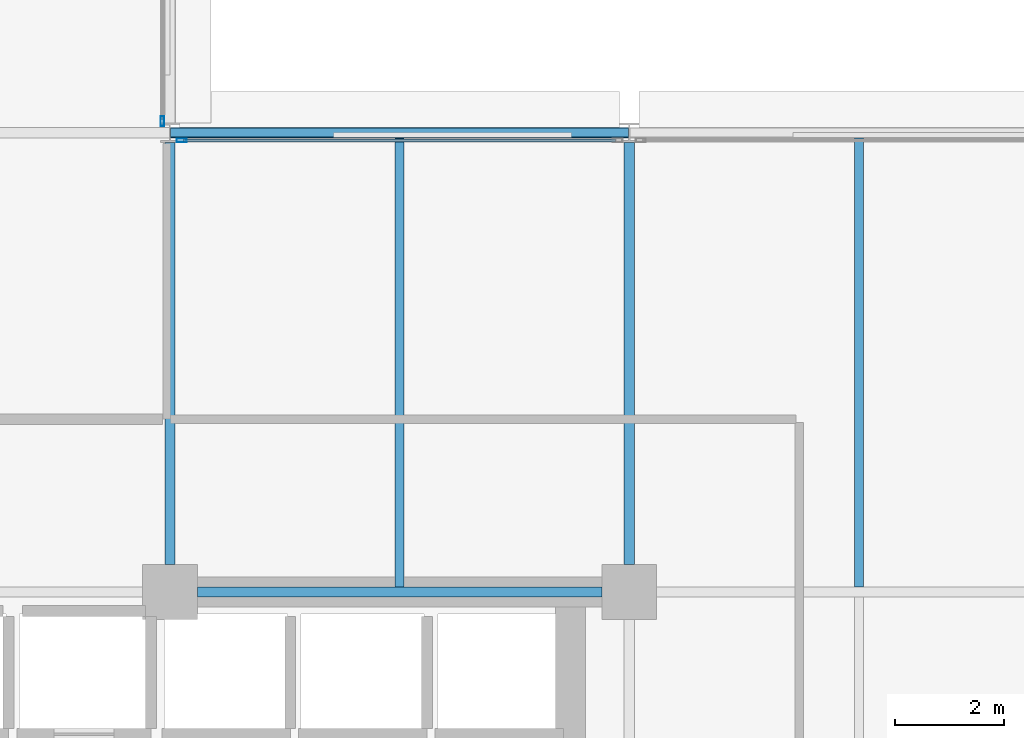
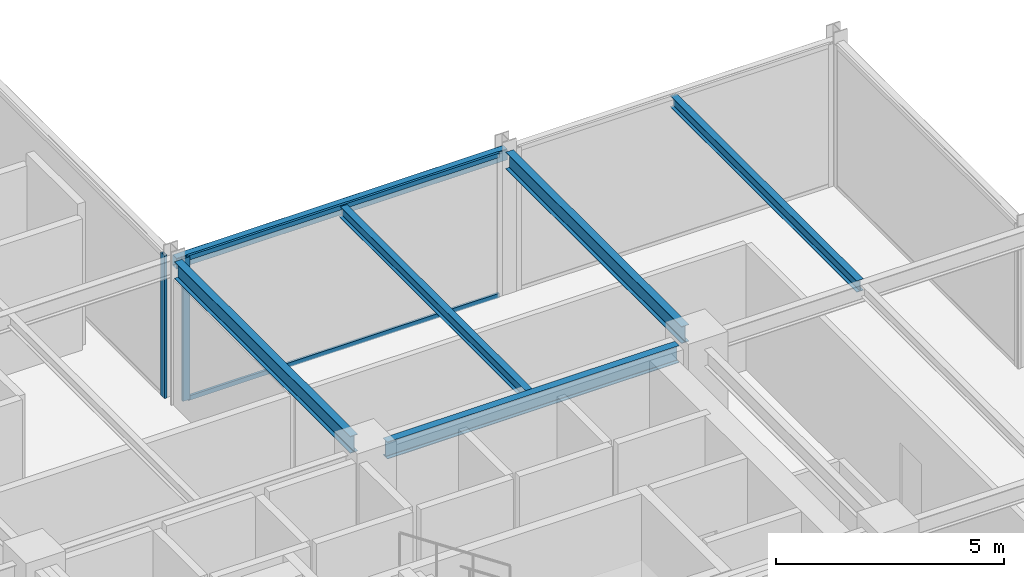
# One storey, part 14 of 29: 6 beams, 4 members, 2 elements without a shape of their own.
"""IFC4 building model written with IfcOpenShell, lengths in metres."""

from ifc_helpers import new_model, si_unit, direction, frame, origin, origin_2d, place, context, subcontext, project, spatial, hollow_rectangle, i_section, extrude, material, layer, layer_set, material_profile, profile_set, type_object, element, aggregate, save


model = new_model("IFC4")

# Units and contexts
model_context = context("Model", 3, precision=1e-05, world=origin(), true_north=direction((0.0, 1.0)))
body_context = subcontext(model_context, "Body", "Model", "MODEL_VIEW")
ifc_project = project(units=[si_unit("LENGTHUNIT", "METRE"), si_unit("AREAUNIT", "SQUARE_METRE"), si_unit("VOLUMEUNIT", "CUBIC_METRE"), si_unit("PLANEANGLEUNIT", "RADIAN"), si_unit("MASSUNIT", "GRAM", prefix="KILO")], contexts=[model_context])

# Site, building, storey
site_placement = place(None, origin())
site = spatial("IfcSite", under=ifc_project, at=site_placement, CompositionType="ELEMENT")
building_placement = place(site_placement, origin())
building = spatial("IfcBuilding", under=site, at=building_placement, Name="Nerrivon Quay Data Exchange", CompositionType="ELEMENT")
storey_placement = place(building_placement, frame((0.0, 0.0, 191.89990234375)))
storey = spatial("IfcBuildingStorey", under=building, at=storey_placement, Name="L45", CompositionType="ELEMENT", Elevation=191.89990234375)

# Beams
ifc_material_1 = material(Name="Steel Grade 350", Category="steel")
ifc_material_profile_1 = material_profile(ifc_material_1, i_section(OverallWidth=0.19091796875, OverallDepth=0.4599609375, WebThickness=0.010009765625, FlangeThickness=0.01611328125, FilletRadius=0.011474609375, at=origin_2d()), Name="460UB82.1")
ifc_profile_set_1 = profile_set([ifc_material_profile_1], Name="Steel Grade 350")
beam_type_1 = type_object("IfcBeamType", Name="BM-G5-460UB82", PredefinedType="BEAM", material=ifc_profile_set_1)
beam_1_placement = place(storey_placement, frame((25.699951171875, 16.800048828125, 3.59521484375), z_axis=(1.0, 0.0, 0.0), x_axis=(0.0, 1.0, 0.0)))
element("IfcBeam", 1, at=beam_1_placement, inside=storey, type_object=beam_type_1, Name="L45 EW Girder Y=16.8 (25.2..33.6)", PredefinedType="BEAM", context=body_context, shape_type="SweptSolid", body=[
    extrude(i_section(OverallWidth=0.19091796875, OverallDepth=0.4599609375, WebThickness=0.010009765625, FlangeThickness=0.01611328125, FilletRadius=0.011474609375, at=origin_2d()), origin(), (0.0, 0.0, 1.0), 7.400146484375),
])
ifc_material_profile_2 = material_profile(ifc_material_1, i_section(OverallWidth=0.18994140625, OverallDepth=0.4541015625, WebThickness=0.008544921875, FlangeThickness=0.0126953125, FilletRadius=0.011474609375, at=origin_2d()), Name="460UB67.1")
ifc_profile_set_2 = profile_set([ifc_material_profile_2], Name="Steel Grade 350")
beam_type_2 = type_object("IfcBeamType", Name="BM-G6-460UB67", PredefinedType="BEAM", material=ifc_profile_set_2)
for number, where, z_axis, x_axis, name in (
    (2, (25.199951171875, 17.300048828125, 3.59814453125), (0.0, 1.0, 0.0), (-1.0, 0.0, 0.0), "L45 NS Girder X=25.2 (16.8..25.2)"),
    (3, (33.60009765625, 17.300048828125, 3.59814453125), (0.0, 1.0, 0.0), (-1.0, 0.0, 0.0), "L45 NS Girder X=33.6 (16.8..25.2)"),
):
    element("IfcBeam", number, at=place(storey_placement, frame(where, z_axis=z_axis, x_axis=x_axis)), inside=storey, type_object=beam_type_2, Name=name, PredefinedType="BEAM", context=body_context, shape_type="SweptSolid", body=[
        extrude(i_section(OverallWidth=0.18994140625, OverallDepth=0.4541015625, WebThickness=0.008544921875, FlangeThickness=0.0126953125, FilletRadius=0.011474609375, at=origin_2d()), origin(), (0.0, 0.0, 1.0), 7.724853515625),
    ])
ifc_material_profile_3 = material_profile(ifc_material_1, i_section(OverallWidth=0.166015625, OverallDepth=0.306884765625, WebThickness=0.006591796875, FlangeThickness=0.01171875, FilletRadius=0.011474609375, at=origin_2d()), Name="310UB46.2")
ifc_profile_set_3 = profile_set([ifc_material_profile_3], Name="Steel Grade 350")
beam_type_3 = type_object("IfcBeamType", Name="BM-J5-310UB46", PredefinedType="JOIST", material=ifc_profile_set_3)
for number, where, z_axis, x_axis, name in (
    (4, (29.39990234375, 16.8955078125, 3.671630859375), (0.0, 1.0, 0.0), (-1.0, 0.0, 0.0), "L45 Secondary Joist X=29.4 (16.8..25.2)"),
    (5, (37.800048828125, 16.8955078125, 3.671630859375), (0.0, 1.0, 0.0), (-1.0, 0.0, 0.0), "L45 Secondary Joist X=37.8 (16.8..25.2)"),
):
    element("IfcBeam", number, at=place(storey_placement, frame(where, z_axis=z_axis, x_axis=x_axis)), inside=storey, type_object=beam_type_3, Name=name, PredefinedType="JOIST", context=body_context, shape_type="SweptSolid", body=[
        extrude(i_section(OverallWidth=0.166015625, OverallDepth=0.306884765625, WebThickness=0.006591796875, FlangeThickness=0.01171875, FilletRadius=0.011474609375, at=origin_2d()), origin(), (0.0, 0.0, 1.0), 8.20458984375),
    ])
ifc_material_2 = material(Name="Steel Grade C350L0 (350 MPa)", Category="steel")
ifc_material_profile_4 = material_profile(ifc_material_2, hollow_rectangle(XDim=0.199951171875, YDim=0.300048828125, WallThickness=0.012451171875, InnerFilletRadius=0.018798828125, OuterFilletRadius=0.03125, at=origin_2d()), Name="300x200x12.5RHS")
ifc_profile_set_4 = profile_set([ifc_material_profile_4], Name="Steel Grade C350L0 (350 MPa)")
beam_type_4 = type_object("IfcBeamType", Name="BM-SP3-300x200RHS", PredefinedType="SPANDREL", material=ifc_profile_set_4)
beam_2_placement = place(storey_placement, frame((25.2099609375, 25.199951171875, 3.675048828125), z_axis=(1.0, 0.0, 0.0), x_axis=(0.0, 1.0, 0.0)))
element("IfcBeam", 6, at=beam_2_placement, inside=storey, type_object=beam_type_4, Name="L45 EW Girder Y=25.2 (25.2..33.6)", PredefinedType="SPANDREL", context=body_context, shape_type="SweptSolid", body=[
    extrude(hollow_rectangle(XDim=0.199951171875, YDim=0.300048828125, WallThickness=0.012451171875, InnerFilletRadius=0.018798828125, OuterFilletRadius=0.03125, at=origin_2d()), origin(), (0.0, 0.0, 1.0), 8.380126953125),
])

# Curtain wall, member
ifc_material_3 = material(Name="Anodised aluminium 6063-T6", Category="aluminium")
ifc_layer = layer(ifc_material_3, 0.195068359375)
ifc_layer_set = layer_set([ifc_layer], Name="Anodised aluminium 6063-T6")
curtain_wall_type = type_object("IfcCurtainWallType", Name="CW-SYS-06", PredefinedType="NOTDEFINED", material=ifc_layer_set)
curtain_wall_1_placement = place(storey_placement, origin())
curtain_wall_1 = element("IfcCurtainWall", 7, at=curtain_wall_1_placement, inside=storey, type_object=curtain_wall_type, Name="L45 Unitised Curtain Wall 15", PredefinedType="NOTDEFINED")
ifc_material_profile_5 = material_profile(ifc_material_3, hollow_rectangle(XDim=0.06494140625, YDim=0.179931640625, WallThickness=0.00341796875, at=origin_2d()), Name="ALU-MULL-180x65")
ifc_profile_set_5 = profile_set([ifc_material_profile_5], Name="Anodised aluminium 6063-T6")
member_type_1 = type_object("IfcMemberType", Name="CWM-180x65", PredefinedType="MULLION", material=ifc_profile_set_5)
member_1_placement = place(storey_placement, frame((25.06005859375, 25.41259765625, 0.0), z_axis=(0.0, 0.0, 1.0), x_axis=(1.0, 0.0, 0.0)))
member_1 = element("IfcMember", 8, at=member_1_placement, type_object=member_type_1, Name="CW06 mullion 2", PredefinedType="MULLION", context=body_context, shape_type="SweptSolid", body=[
    extrude(hollow_rectangle(XDim=0.06494140625, YDim=0.179931640625, WallThickness=0.00341796875, at=origin_2d()), origin(), (0.0, 0.0, 1.0), 3.8251953125),
])
aggregate(curtain_wall_1, [member_1])

# Curtain wall, members
curtain_wall_2_placement = place(storey_placement, origin())
curtain_wall_2 = element("IfcCurtainWall", 9, at=curtain_wall_2_placement, inside=storey, type_object=curtain_wall_type, Name="L45 Unitised Curtain Wall 16", PredefinedType="NOTDEFINED")
member_2_placement = place(storey_placement, frame((25.41259765625, 25.06005859375, 0.0), z_axis=(0.0, 0.0, 1.0), x_axis=(0.0, 1.0, 0.0)))
member_2 = element("IfcMember", 10, at=member_2_placement, type_object=member_type_1, Name="CW06 mullion 1", PredefinedType="MULLION", context=body_context, shape_type="SweptSolid", body=[
    extrude(hollow_rectangle(XDim=0.06494140625, YDim=0.179931640625, WallThickness=0.00341796875, at=origin_2d()), origin(), (0.0, 0.0, 1.0), 3.8251953125),
])
ifc_material_profile_6 = material_profile(ifc_material_3, hollow_rectangle(XDim=0.06005859375, YDim=0.1201171875, WallThickness=0.003173828125, at=origin_2d()), Name="ALU-TRAN-120x60")
ifc_profile_set_6 = profile_set([ifc_material_profile_6], Name="Anodised aluminium 6063-T6")
member_type_2 = type_object("IfcMemberType", Name="CWT-120x60", PredefinedType="USERDEFINED", material=ifc_profile_set_6)
member_3_placement = place(storey_placement, frame((25.449951171875, 25.06005859375, 0.03271484375), z_axis=(1.0, 0.0, 0.0), x_axis=(0.0, 1.0, 0.0)))
member_3 = element("IfcMember", 11, at=member_3_placement, type_object=member_type_2, Name="CW06 transom 1.1", ObjectType="TRANSOM", PredefinedType="USERDEFINED", context=body_context, shape_type="SweptSolid", body=[
    extrude(hollow_rectangle(XDim=0.06005859375, YDim=0.1201171875, WallThickness=0.003173828125, at=origin_2d()), origin(), (0.0, 0.0, 1.0), 7.900146484375),
])
member_4_placement = place(storey_placement, frame((25.449951171875, 25.06005859375, 3.79248046875), z_axis=(1.0, 0.0, 0.0), x_axis=(0.0, 1.0, 0.0)))
member_4 = element("IfcMember", 12, at=member_4_placement, type_object=member_type_2, Name="CW06 transom 1.2", ObjectType="TRANSOM", PredefinedType="USERDEFINED", context=body_context, shape_type="SweptSolid", body=[
    extrude(hollow_rectangle(XDim=0.06005859375, YDim=0.1201171875, WallThickness=0.003173828125, at=origin_2d()), origin(), (0.0, 0.0, 1.0), 7.900146484375),
])
aggregate(curtain_wall_2, [member_2, member_3, member_4])

save(model, "model.ifc")
